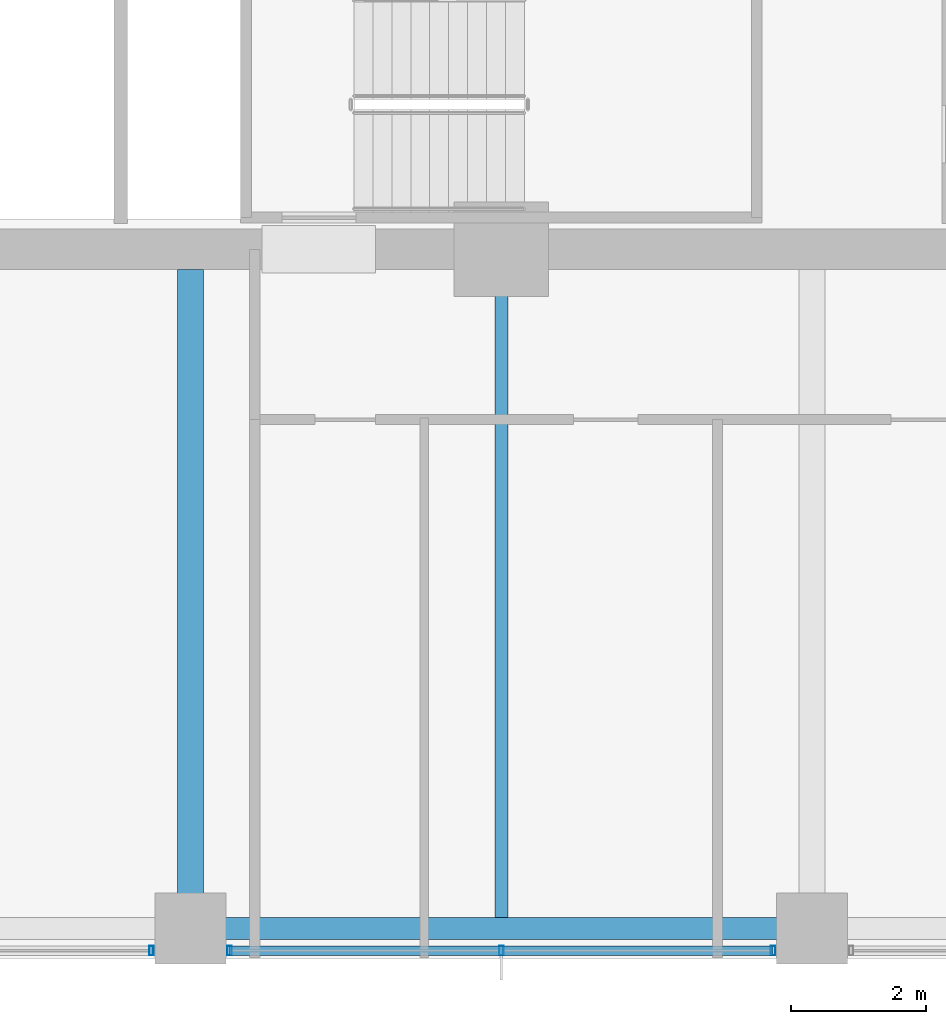
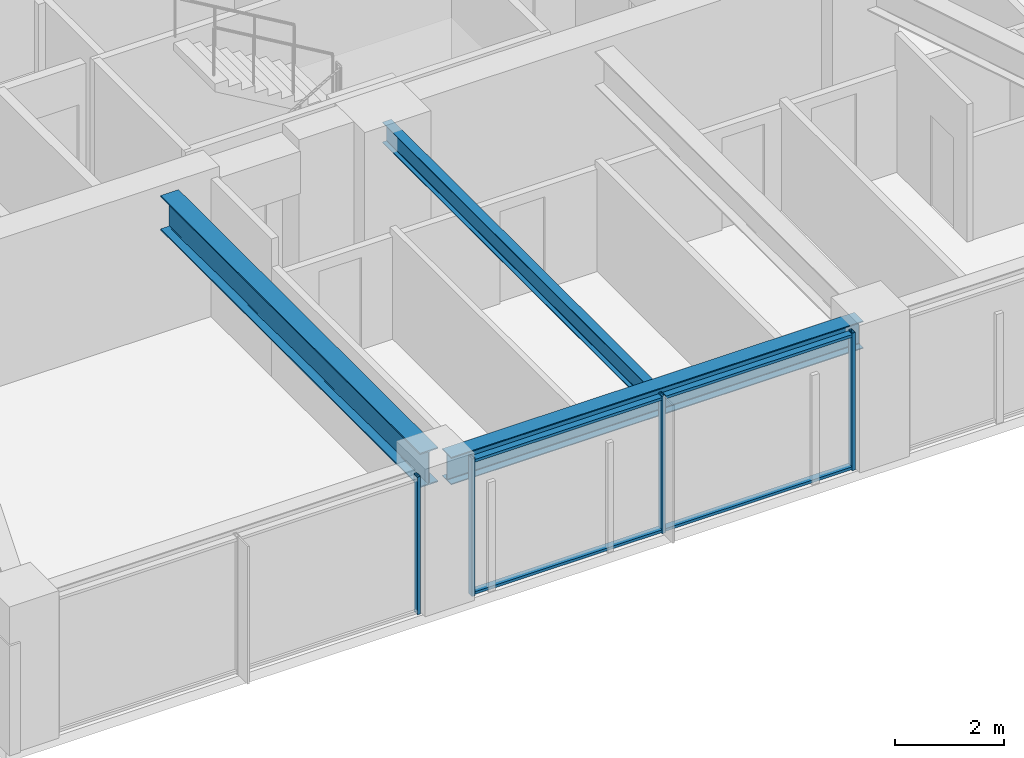
# One storey, part 6 of 36: 6 members, 3 beams, 2 elements without a shape of their own.
"""IFC4 building model written with IfcOpenShell, lengths in metres."""

import ifcopenshell
import ifcopenshell.guid

model = None  # the IFC model being written
_history = None  # IfcOwnerHistory: only IFC2X3 demands one
_inside = {}  # id of a spatial element -> (the spatial element, [elements in it])
_under = {}  # id of a project, library or spatial element -> (it, [spatial elements below it])
_declared = {}  # id of a project -> (the project, [libraries it declares])
_typed = {}  # id of a type object -> (the type object, [elements of that type])
_made_of = {}  # id of a material, layer set ... -> (it, [elements and type objects made of it])


def new_model(schema):
    """Start an empty IFC model of exactly this schema.

    Asked for "IFC4X3", IfcOpenShell would pick the latest addendum, in which some entities
    have other attributes; the version numbers below select the first issue.
    IFC2X3 requires an IfcOwnerHistory on every rooted entity: one is made here for all.
    """
    global model, _history
    if schema == "IFC4X3":
        model = ifcopenshell.file(schema_version=(4, 3, 0, 0))
    else:
        model = ifcopenshell.file(schema=schema)
    _inside.clear()
    _under.clear()
    _declared.clear()
    _typed.clear()
    _made_of.clear()
    _history = None
    if model.schema == "IFC2X3":
        org = make("IfcOrganization", Name="unknown")
        user = make(
            "IfcPersonAndOrganization",
            ThePerson=make("IfcPerson", FamilyName="unknown"),
            TheOrganization=org,
        )
        app = make(
            "IfcApplication",
            ApplicationDeveloper=org,
            Version="unknown",
            ApplicationFullName="unknown",
            ApplicationIdentifier="unknown",
        )
        _history = make(
            "IfcOwnerHistory",
            OwningUser=user,
            OwningApplication=app,
            ChangeAction="ADDED",
            CreationDate=0,
        )
    return model


def make(cls, **values):
    """One entity of the class cls with the attributes given. An attribute that is None is left unset."""
    return model.create_entity(
        cls, **{name: value for name, value in values.items() if value is not None}
    )


def rooted(cls, **values):
    """An entity with a GlobalId (a new one), such as an element, a storey or a relation."""
    return make(cls, GlobalId=ifcopenshell.guid.new(), OwnerHistory=_history, **values)


def si_unit(unit_type, name, prefix=None):
    """IfcSIUnit, for example si_unit("LENGTHUNIT", "METRE", prefix="MILLI")."""
    return make("IfcSIUnit", UnitType=unit_type, Prefix=prefix, Name=name)


def assignment(units):
    """IfcUnitAssignment: the units of a project."""
    return None if units is None else make("IfcUnitAssignment", Units=units)


def point(xyz):
    """IfcCartesianPoint."""
    return None if xyz is None else make("IfcCartesianPoint", Coordinates=xyz)


def direction(xyz):
    """IfcDirection."""
    return None if xyz is None else make("IfcDirection", DirectionRatios=xyz)


def frame(location, z_axis=None, x_axis=None):
    """IfcAxis2Placement3D, a coordinate frame: its origin and axes. An axis left out is left unset."""
    return make(
        "IfcAxis2Placement3D",
        Location=point(location),
        Axis=direction(z_axis),
        RefDirection=direction(x_axis),
    )


def frame_2d(location, x_axis=None):
    """IfcAxis2Placement2D, a coordinate frame in the plane: its origin and x axis."""
    return make(
        "IfcAxis2Placement2D", Location=point(location), RefDirection=direction(x_axis)
    )


def origin():
    """The frame at (0, 0, 0) with its axes left unset."""
    return frame((0.0, 0.0, 0.0))


def origin_2d():
    """The frame at (0, 0) in the plane with its x axis left unset."""
    return frame_2d((0.0, 0.0))


def place(relative_to, where):
    """IfcLocalPlacement: puts the frame where relative to a parent placement (None: the world)."""
    return make(
        "IfcLocalPlacement", PlacementRelTo=relative_to, RelativePlacement=where
    )


def context(
    kind, dimensions, precision=None, world=None, true_north=None, identifier=None
):
    """IfcGeometricRepresentationContext, for example the 3D "Model" context."""
    return make(
        "IfcGeometricRepresentationContext",
        ContextIdentifier=identifier,
        ContextType=kind,
        CoordinateSpaceDimension=dimensions,
        Precision=precision,
        WorldCoordinateSystem=world,
        TrueNorth=true_north,
    )


def subcontext(parent, identifier, kind, view, scale=None):
    """IfcGeometricRepresentationSubContext, for example "Body" below "Model"."""
    return make(
        "IfcGeometricRepresentationSubContext",
        ContextIdentifier=identifier,
        ContextType=kind,
        ParentContext=parent,
        TargetScale=scale,
        TargetView=view,
    )


def project(units=None, contexts=None):
    """IfcProject with its units and contexts."""
    return rooted(
        "IfcProject",
        Name="project",
        RepresentationContexts=contexts,
        UnitsInContext=assignment(units),
    )


def spatial(cls, under=None, at=None, **own):
    """A site, building, storey or space (cls), placed at a placement, below another one or the project."""
    s = rooted(cls, ObjectPlacement=at, **own)
    if under is not None:
        _under.setdefault(under.id(), (under, []))[1].append(s)
    return s


def profile(cls, at=None, kind="AREA", **sizes):
    """A parametric profile (cls). Its sizes go by their IFC names, for example OverallWidth=200.0."""
    return make(cls, ProfileType=kind, Position=at, **sizes)


def hollow_rectangle(**sizes):
    """IfcRectangleHollowProfileDef."""
    return profile("IfcRectangleHollowProfileDef", **sizes)


def i_section(**sizes):
    """IfcIShapeProfileDef."""
    return profile("IfcIShapeProfileDef", **sizes)


def extrude(swept, where, along, depth):
    """IfcExtrudedAreaSolid: the profile swept, set in the frame where, extruded along a direction by depth."""
    return make(
        "IfcExtrudedAreaSolid",
        SweptArea=swept,
        Position=where,
        ExtrudedDirection=direction(along),
        Depth=depth,
    )


def shape(context_of_items, identifier, shape_type, items):
    """IfcShapeRepresentation: the items that make up one representation, for example the "Body"."""
    return make(
        "IfcShapeRepresentation",
        ContextOfItems=context_of_items,
        RepresentationIdentifier=identifier,
        RepresentationType=shape_type,
        Items=items,
    )


def material(Name=None, Category=None):
    """IfcMaterial."""
    return make("IfcMaterial", Name=Name, Category=Category)


def material_profile(
    of_material, cross_section, Name=None, Category=None, Priority=None
):
    """IfcMaterialProfile: a cross section and its material."""
    return make(
        "IfcMaterialProfile",
        Name=Name,
        Material=of_material,
        Profile=cross_section,
        Priority=Priority,
        Category=Category,
    )


def profile_set(profiles, Name=None, composite=None):
    """IfcMaterialProfileSet."""
    return make(
        "IfcMaterialProfileSet",
        Name=Name,
        MaterialProfiles=profiles,
        CompositeProfile=composite,
    )


def made_of(thing, what):
    """Note that an element or type object is made of a material, layer set ...; save() writes the relation."""
    if what is not None:
        _made_of.setdefault(what.id(), (what, []))[1].append(thing)
    return thing


def type_object(cls, material=None, **own):
    """A type object (cls), such as IfcWallType, which elements share."""
    return made_of(rooted(cls, **own), material)


def element(
    cls,
    number,
    at=None,
    inside=None,
    cuts=None,
    type_object=None,
    material=None,
    context=None,
    identifier="Body",
    shape_type=None,
    held_by="IfcProductDefinitionShape",
    body=None,
    shapes=None,
    **own,
):
    """One element of the class cls, such as IfcWall. Its Tag is "e" and its number.

    at: its placement. inside: the storey or other place that contains it. cuts: it is an
    opening in that element (IfcRelVoidsElement). A single representation is given by context,
    identifier, shape_type and body (its items); several are given by shapes. held_by: the class
    of the entity that holds the representations. save() writes the other relations.
    """
    e = rooted(cls, Tag="e%d" % number, ObjectPlacement=at, **own)
    if body is not None:
        shapes = [shape(context, identifier, shape_type, body)]
    if shapes is not None:
        e.Representation = make(held_by, Representations=shapes)
    if inside is not None:
        _inside.setdefault(inside.id(), (inside, []))[1].append(e)
    if cuts is not None:
        rooted(
            "IfcRelVoidsElement", RelatingBuildingElement=cuts, RelatedOpeningElement=e
        )
    if type_object is not None:
        _typed.setdefault(type_object.id(), (type_object, []))[1].append(e)
    return made_of(e, material)


def aggregate(whole, parts):
    """IfcRelAggregates: a whole, such as a stair, and the parts it consists of."""
    return rooted("IfcRelAggregates", RelatingObject=whole, RelatedObjects=parts)


def save(model, path):
    """Write the relations noted so far, then the file.

    IfcRelAggregates (storeys below a building ...), IfcRelContainedInSpatialStructure (elements
    in a storey), IfcRelDefinesByType, IfcRelAssociatesMaterial and IfcRelDeclares: one each for
    every whole, place, type object, material and project.
    """
    for whole, parts in _under.values():
        aggregate(whole, parts)
    for where, things in _inside.values():
        rooted(
            "IfcRelContainedInSpatialStructure",
            RelatedElements=things,
            RelatingStructure=where,
        )
    for kind, things in _typed.values():
        rooted("IfcRelDefinesByType", RelatedObjects=things, RelatingType=kind)
    for what, things in _made_of.values():
        rooted("IfcRelAssociatesMaterial", RelatedObjects=things, RelatingMaterial=what)
    for by, libraries in _declared.values():
        rooted("IfcRelDeclares", RelatingContext=by, RelatedDefinitions=libraries)
    model.write(path)


model = new_model("IFC4")

# Units and contexts
model_context = context("Model", 3, precision=1e-05, world=origin(), true_north=direction((0.0, 1.0)))
body_context = subcontext(model_context, "Body", "Model", "MODEL_VIEW")
ifc_project = project(units=[si_unit("LENGTHUNIT", "METRE"), si_unit("AREAUNIT", "SQUARE_METRE"), si_unit("VOLUMEUNIT", "CUBIC_METRE"), si_unit("PLANEANGLEUNIT", "RADIAN"), si_unit("MASSUNIT", "GRAM", prefix="KILO")], contexts=[model_context])

# Site, building, storey
site_placement = place(None, origin())
site = spatial("IfcSite", under=ifc_project, at=site_placement, CompositionType="ELEMENT")
building_placement = place(site_placement, origin())
building = spatial("IfcBuilding", under=site, at=building_placement, Name="Kolvaren Belvedere", CompositionType="ELEMENT")
storey_placement = place(building_placement, frame((0.0, 0.0, 92.0)))
storey = spatial("IfcBuildingStorey", under=building, at=storey_placement, Name="L26", CompositionType="ELEMENT", Elevation=92.0)

# Beams
ifc_material_1 = material(Name="Structural steel ASTM A992 Grade 50", Category="steel")
ifc_material_profile_1 = material_profile(ifc_material_1, i_section(OverallWidth=0.381103515625, OverallDepth=0.77294921875, WebThickness=0.0166015625, FlangeThickness=0.027099609375, FilletRadius=0.02392578125, at=origin_2d()), Name="W30X173")
ifc_profile_set_1 = profile_set([ifc_material_profile_1], Name="Structural steel ASTM A992 Grade 50")
beam_type_1 = type_object("IfcBeamType", Name="BM-GIRD-W30X173", PredefinedType="BEAM", material=ifc_profile_set_1)
beam_1_placement = place(storey_placement, frame((-4.60009765625, -10.199951171875, 2.693603515625), z_axis=(0.0, -1.0, 0.0), x_axis=(1.0, 0.0, 0.0)))
element("IfcBeam", 1, at=beam_1_placement, inside=storey, type_object=beam_type_1, Name="L26 South Radial Girder M", PredefinedType="BEAM", context=body_context, shape_type="SweptSolid", body=[
    extrude(i_section(OverallWidth=0.381103515625, OverallDepth=0.77294921875, WebThickness=0.0166015625, FlangeThickness=0.027099609375, FilletRadius=0.02392578125, at=origin_2d()), origin(), (0.0, 0.0, 1.0), 9.513916015625),
])
ifc_material_2 = material(Name="Structural steel ASTM A992 Grade 50", Category="steel")
ifc_material_profile_2 = material_profile(ifc_material_2, i_section(OverallWidth=0.19091796875, OverallDepth=0.4599609375, WebThickness=0.010009765625, FlangeThickness=0.01611328125, FilletRadius=0.014892578125, at=origin_2d()), Name="W18X55")
ifc_profile_set_2 = profile_set([ifc_material_profile_2], Name="Structural steel ASTM A992 Grade 50")
beam_type_2 = type_object("IfcBeamType", Name="BM-JOIST-W18X55", PredefinedType="BEAM", material=ifc_profile_set_2)
beam_2_placement = place(storey_placement, frame((0.0, -10.199951171875, 2.85009765625), z_axis=(0.0, -1.0, 0.0), x_axis=(1.0, 0.0, 0.0)))
element("IfcBeam", 2, at=beam_2_placement, inside=storey, type_object=beam_type_2, Name="L26 South Centre Floor Beam", PredefinedType="BEAM", context=body_context, shape_type="SweptSolid", body=[
    extrude(i_section(OverallWidth=0.19091796875, OverallDepth=0.4599609375, WebThickness=0.010009765625, FlangeThickness=0.01611328125, FilletRadius=0.014892578125, at=origin_2d()), origin(), (0.0, 0.0, 1.0), 9.587646484375),
])
ifc_material_3 = material(Name="Structural steel ASTM A992 Grade 50", Category="steel")
ifc_material_profile_3 = material_profile(ifc_material_3, i_section(OverallWidth=0.324951171875, OverallDepth=0.615966796875, WebThickness=0.013916015625, FlangeThickness=0.021484375, FilletRadius=0.02001953125, at=origin_2d()), Name="W24X117")
ifc_profile_set_3 = profile_set([ifc_material_profile_3], Name="Structural steel ASTM A992 Grade 50")
beam_type_3 = type_object("IfcBeamType", Name="BM-SPAN-W24X117", PredefinedType="SPANDREL", material=ifc_profile_set_3)
beam_3_placement = place(storey_placement, frame((-4.36376953125, -19.949951171875, 2.77197265625), z_axis=(1.0, 0.0, 0.0), x_axis=(0.0, 1.0, 0.0)))
element("IfcBeam", 3, at=beam_3_placement, inside=storey, type_object=beam_type_3, Name="L26 Perimeter Spandrel S2-S3", PredefinedType="SPANDREL", context=body_context, shape_type="SweptSolid", body=[
    extrude(i_section(OverallWidth=0.324951171875, OverallDepth=0.615966796875, WebThickness=0.013916015625, FlangeThickness=0.021484375, FilletRadius=0.02001953125, at=origin_2d()), origin(), (0.0, 0.0, 1.0), 8.7275390625),
])

# Curtain wall, members
ifc_material_4 = material(Name="Anodised pale-metal aluminium AA 6063-T6", Category="aluminium")
curtain_wall_type = type_object("IfcCurtainWallType", Name="CW-Z2-MID", PredefinedType="NOTDEFINED", material=ifc_material_4)
curtain_wall_1_placement = place(storey_placement, origin())
curtain_wall_1 = element("IfcCurtainWall", 4, at=curtain_wall_1_placement, inside=storey, type_object=curtain_wall_type, Name="L26 Unitised Curtain Wall FCW-L26-S-B2", PredefinedType="NOTDEFINED")
ifc_material_5 = material(Name="Anodised pale-metal aluminium AA 6063-T6", Category="aluminium")
ifc_material_profile_4 = material_profile(ifc_material_5, hollow_rectangle(XDim=0.06494140625, YDim=0.139892578125, WallThickness=0.00390625, at=origin_2d()), Name="ALU-MUL-140X65")
ifc_profile_set_4 = profile_set([ifc_material_profile_4], Name="Anodised pale-metal aluminium AA 6063-T6")
member_type_1 = type_object("IfcMemberType", Name="CW-MUL-140", PredefinedType="MULLION", material=ifc_profile_set_4)
member_1_placement = place(storey_placement, frame((4.0224609375, -20.280029296875, 0.0), z_axis=(0.0, 0.0, 1.0), x_axis=(1.0, 0.0, 0.0)))
member_1 = element("IfcMember", 5, at=member_1_placement, type_object=member_type_1, Name="FCW-L26-S-B2 Unitised Mullion 1", PredefinedType="MULLION", context=body_context, shape_type="SweptSolid", body=[
    extrude(hollow_rectangle(XDim=0.06494140625, YDim=0.139892578125, WallThickness=0.00390625, at=origin_2d()), origin(), (0.0, 0.0, 1.0), 3.080078125),
])
member_2_placement = place(storey_placement, frame((0.0, -20.280029296875, 0.0), z_axis=(0.0, 0.0, 1.0), x_axis=(1.0, 0.0, 0.0)))
member_2 = element("IfcMember", 6, at=member_2_placement, type_object=member_type_1, Name="FCW-L26-S-B2 Unitised Mullion 2", PredefinedType="MULLION", context=body_context, shape_type="SweptSolid", body=[
    extrude(hollow_rectangle(XDim=0.06494140625, YDim=0.139892578125, WallThickness=0.00390625, at=origin_2d()), origin(), (0.0, 0.0, 1.0), 3.080078125),
])
member_3_placement = place(storey_placement, frame((-4.0224609375, -20.280029296875, 0.0), z_axis=(0.0, 0.0, 1.0), x_axis=(1.0, 0.0, 0.0)))
member_3 = element("IfcMember", 7, at=member_3_placement, type_object=member_type_1, Name="FCW-L26-S-B2 Unitised Mullion 3", PredefinedType="MULLION", context=body_context, shape_type="SweptSolid", body=[
    extrude(hollow_rectangle(XDim=0.06494140625, YDim=0.139892578125, WallThickness=0.00390625, at=origin_2d()), origin(), (0.0, 0.0, 1.0), 3.080078125),
])

# Curtain wall, member
curtain_wall_2_placement = place(storey_placement, origin())
curtain_wall_2 = element("IfcCurtainWall", 8, at=curtain_wall_2_placement, inside=storey, type_object=curtain_wall_type, Name="L26 Unitised Curtain Wall FCW-L26-S-B3", PredefinedType="NOTDEFINED")
member_4_placement = place(storey_placement, frame((-5.177490234375, -20.280029296875, 0.0), z_axis=(0.0, 0.0, 1.0), x_axis=(1.0, 0.0, 0.0)))
member_4 = element("IfcMember", 9, at=member_4_placement, type_object=member_type_1, Name="FCW-L26-S-B3 Unitised Mullion 1", PredefinedType="MULLION", context=body_context, shape_type="SweptSolid", body=[
    extrude(hollow_rectangle(XDim=0.06494140625, YDim=0.139892578125, WallThickness=0.00390625, at=origin_2d()), origin(), (0.0, 0.0, 1.0), 3.080078125),
])
aggregate(curtain_wall_2, [member_4])

# Member
ifc_material_6 = material(Name="Anodised pale-metal aluminium AA 6063-T6", Category="aluminium")
ifc_material_profile_5 = material_profile(ifc_material_6, hollow_rectangle(XDim=0.06005859375, YDim=0.139892578125, WallThickness=0.00390625, at=origin_2d()), Name="ALU-TRN-140X60")
ifc_profile_set_5 = profile_set([ifc_material_profile_5], Name="Anodised pale-metal aluminium AA 6063-T6")
member_type_2 = type_object("IfcMemberType", Name="CW-TRN-140", PredefinedType="USERDEFINED", material=ifc_profile_set_5)
member_5_placement = place(storey_placement, frame((4.0224609375, -20.280029296875, 0.06005859375), z_axis=(-1.0, 0.0, 0.0), x_axis=(0.0, 0.0, 1.0)))
member_5 = element("IfcMember", 10, at=member_5_placement, type_object=member_type_2, Name="FCW-L26-S-B2 Sill Transom", ObjectType="TRANSOM", PredefinedType="USERDEFINED", context=body_context, shape_type="SweptSolid", body=[
    extrude(hollow_rectangle(XDim=0.06005859375, YDim=0.139892578125, WallThickness=0.00390625, at=origin_2d()), origin(), (0.0, 0.0, 1.0), 8.044921875),
])

member_6_placement = place(storey_placement, frame((4.0224609375, -20.280029296875, 3.02001953125), z_axis=(-1.0, 0.0, 0.0), x_axis=(0.0, 0.0, 1.0)))
member_6 = element("IfcMember", 11, at=member_6_placement, type_object=member_type_2, Name="FCW-L26-S-B2 Head Transom", ObjectType="TRANSOM", PredefinedType="USERDEFINED", context=body_context, shape_type="SweptSolid", body=[
    extrude(hollow_rectangle(XDim=0.06005859375, YDim=0.139892578125, WallThickness=0.00390625, at=origin_2d()), origin(), (0.0, 0.0, 1.0), 8.044921875),
])

aggregate(curtain_wall_1, [member_1, member_2, member_3, member_5, member_6])

save(model, "model.ifc")
